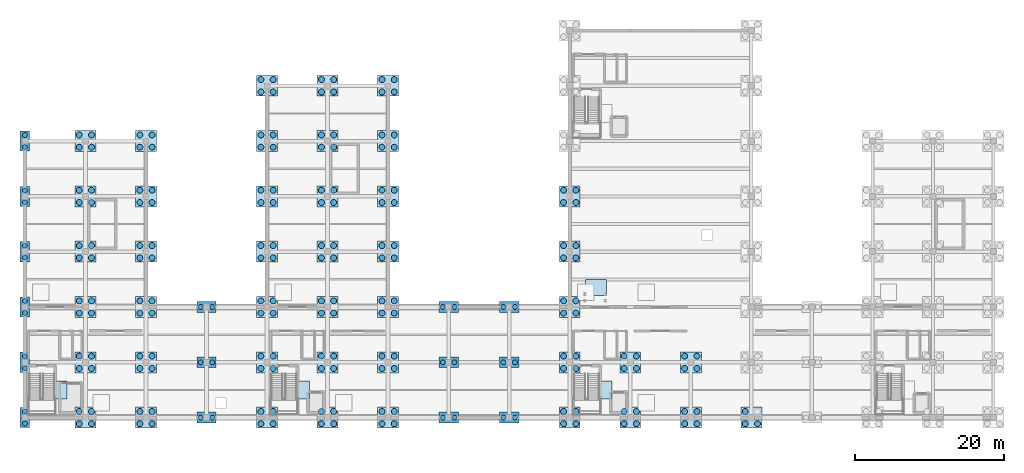
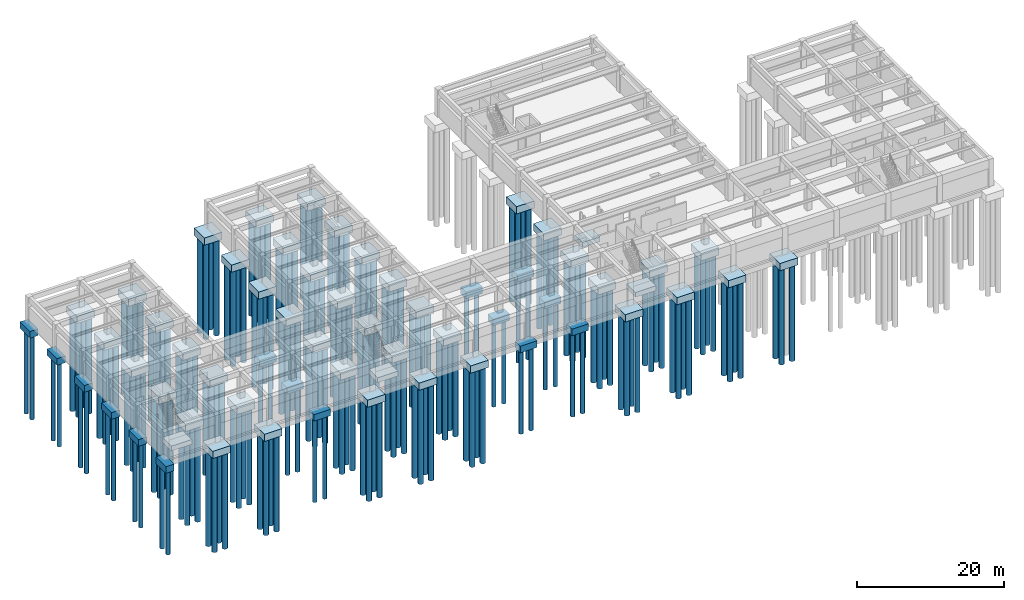
# One storey, part 1 of 14: 201 piles, 62 footings.
"""IFC4 building model written with IfcOpenShell, lengths in metres."""

from ifc_helpers import new_model, si_unit, direction, frame, origin, origin_2d, place, context, subcontext, project, spatial, rectangle, circle, extrude, material, type_object, element, save


model = new_model("IFC4")

# Units and contexts
model_context = context("Model", 3, precision=1e-05, world=origin(), true_north=direction((0.0, 1.0)))
body_context = subcontext(model_context, "Body", "Model", "MODEL_VIEW")
ifc_project = project(units=[si_unit("LENGTHUNIT", "METRE"), si_unit("AREAUNIT", "SQUARE_METRE"), si_unit("VOLUMEUNIT", "CUBIC_METRE"), si_unit("PLANEANGLEUNIT", "RADIAN"), si_unit("MASSUNIT", "GRAM", prefix="KILO")], contexts=[model_context])

# Site, building, storey
site_placement = place(None, origin())
site = spatial("IfcSite", under=ifc_project, at=site_placement, CompositionType="ELEMENT")
building_placement = place(site_placement, origin())
building = spatial("IfcBuilding", under=site, at=building_placement, Name="Cimatlan Art Gallery", CompositionType="ELEMENT")
storey_placement = place(building_placement, frame((0.0, 0.0, -4.800048828125)))
storey = spatial("IfcBuildingStorey", under=building, at=storey_placement, Name="B1", CompositionType="ELEMENT", Elevation=-4.800048828125)

# Footings
ifc_material = material(Name="Concrete C40/50", Category="concrete")
footing_type_1 = type_object("IfcFootingType", Name="FTG-PAD-2800X2100", PredefinedType="PAD_FOOTING", material=ifc_material)
footing_placement = place(storey_placement, frame((78.39990234375, 41.300048828125, -1.25), z_axis=(0.0, 0.0, 1.0), x_axis=(1.0, 0.0, 0.0)))
element("IfcFooting", 1, at=footing_placement, inside=storey, type_object=footing_type_1, Name="FTG-FEAT-95", PredefinedType="PAD_FOOTING", context=body_context, shape_type="SweptSolid", body=[
    extrude(rectangle(XDim=2.800048828125, YDim=2.10009765625, at=origin_2d()), origin(), (0.0, 0.0, 1.0), 0.800048828125),
])
footing_type_2 = type_object("IfcFootingType", Name="FTG-PAD-3200X2400", PredefinedType="PAD_FOOTING", material=ifc_material)
for number, where, z_axis, x_axis, name in (
    (2, (6.050048828125, 27.60009765625, -1.25), (0.0, 0.0, 1.0), (1.0, 0.0, 0.0), "FTG-CORE-C1"),
    (3, (38.449951171875, 27.60009765625, -1.25), (0.0, 0.0, 1.0), (1.0, 0.0, 0.0), "FTG-CORE-C2"),
    (4, (78.949951171875, 27.60009765625, -1.25), (0.0, 0.0, 1.0), (1.0, 0.0, 0.0), "FTG-CORE-C3"),
):
    element("IfcFooting", number, at=place(storey_placement, frame(where, z_axis=z_axis, x_axis=x_axis)), inside=storey, type_object=footing_type_2, Name=name, PredefinedType="PAD_FOOTING", context=body_context, shape_type="SweptSolid", body=[
        extrude(rectangle(XDim=3.199951171875, YDim=2.39990234375, at=origin_2d()), origin(), (0.0, 0.0, 1.0), 0.800048828125),
    ])
footing_type_3 = type_object("IfcFootingType", Name="FTG-PC2-2600X1450", PredefinedType="PILE_CAP", material=ifc_material)
for number, where, z_axis, x_axis, name in (
    (5, (26.300048828125, 23.89990234375, -1.550048828125), (0.0, 0.0, 1.0), (1.0, 0.0, 0.0), "FTG-CAP-03-03"),
    (6, (26.300048828125, 31.300048828125, -1.550048828125), (0.0, 0.0, 1.0), (1.0, 0.0, 0.0), "FTG-CAP-03-04"),
    (7, (26.300048828125, 38.699951171875, -1.550048828125), (0.0, 0.0, 1.0), (1.0, 0.0, 0.0), "FTG-CAP-03-05"),
    (8, (58.699951171875, 23.89990234375, -1.550048828125), (0.0, 0.0, 1.0), (1.0, 0.0, 0.0), "FTG-CAP-07-03"),
    (9, (58.699951171875, 31.300048828125, -1.550048828125), (0.0, 0.0, 1.0), (1.0, 0.0, 0.0), "FTG-CAP-07-04"),
    (10, (58.699951171875, 38.699951171875, -1.550048828125), (0.0, 0.0, 1.0), (1.0, 0.0, 0.0), "FTG-CAP-07-05"),
    (11, (66.800048828125, 23.89990234375, -1.550048828125), (0.0, 0.0, 1.0), (1.0, 0.0, 0.0), "FTG-CAP-08-03"),
    (12, (66.800048828125, 31.300048828125, -1.550048828125), (0.0, 0.0, 1.0), (1.0, 0.0, 0.0), "FTG-CAP-08-04"),
    (13, (66.800048828125, 38.699951171875, -1.550048828125), (0.0, 0.0, 1.0), (1.0, 0.0, 0.0), "FTG-CAP-08-05"),
):
    element("IfcFooting", number, at=place(storey_placement, frame(where, z_axis=z_axis, x_axis=x_axis)), inside=storey, type_object=footing_type_3, Name=name, PredefinedType="PILE_CAP", context=body_context, shape_type="SweptSolid", body=[
        extrude(rectangle(XDim=2.60009765625, YDim=1.449951171875, at=origin_2d()), origin(), (0.0, 0.0, 1.0), 1.10009765625),
    ])
footing_type_4 = type_object("IfcFootingType", Name="FTG-PC2N-1300X2700", PredefinedType="PILE_CAP", material=ifc_material)
for number, where, z_axis, x_axis, name in (
    (14, (2.0, 23.89990234375, -1.550048828125), (0.0, 0.0, 1.0), (1.0, 0.0, 0.0), "FTG-CAP-00-03"),
    (15, (2.0, 31.300048828125, -1.550048828125), (0.0, 0.0, 1.0), (1.0, 0.0, 0.0), "FTG-CAP-00-04"),
    (16, (2.0, 38.699951171875, -1.550048828125), (0.0, 0.0, 1.0), (1.0, 0.0, 0.0), "FTG-CAP-00-05"),
    (17, (2.0, 46.10009765625, -1.550048828125), (0.0, 0.0, 1.0), (1.0, 0.0, 0.0), "FTG-CAP-00-06"),
    (18, (2.0, 53.5, -1.550048828125), (0.0, 0.0, 1.0), (1.0, 0.0, 0.0), "FTG-CAP-00-07"),
    (19, (2.0, 60.89990234375, -1.550048828125), (0.0, 0.0, 1.0), (1.0, 0.0, 0.0), "FTG-CAP-00-08"),
):
    element("IfcFooting", number, at=place(storey_placement, frame(where, z_axis=z_axis, x_axis=x_axis)), inside=storey, type_object=footing_type_4, Name=name, PredefinedType="PILE_CAP", context=body_context, shape_type="SweptSolid", body=[
        extrude(rectangle(XDim=1.300048828125, YDim=2.699951171875, at=origin_2d()), origin(), (0.0, 0.0, 1.0), 1.10009765625),
    ])
footing_type_5 = type_object("IfcFootingType", Name="FTG-PC4-2800", PredefinedType="PILE_CAP", material=ifc_material)
for number, where, z_axis, x_axis, name in (
    (20, (10.10009765625, 23.89990234375, -1.64990234375), (0.0, 0.0, 1.0), (1.0, 0.0, 0.0), "FTG-CAP-01-03"),
    (21, (10.10009765625, 31.300048828125, -1.64990234375), (0.0, 0.0, 1.0), (1.0, 0.0, 0.0), "FTG-CAP-01-04"),
    (22, (10.10009765625, 38.699951171875, -1.64990234375), (0.0, 0.0, 1.0), (1.0, 0.0, 0.0), "FTG-CAP-01-05"),
    (23, (10.10009765625, 46.10009765625, -1.64990234375), (0.0, 0.0, 1.0), (1.0, 0.0, 0.0), "FTG-CAP-01-06"),
    (24, (10.10009765625, 53.5, -1.64990234375), (0.0, 0.0, 1.0), (1.0, 0.0, 0.0), "FTG-CAP-01-07"),
    (25, (10.10009765625, 60.89990234375, -1.64990234375), (0.0, 0.0, 1.0), (1.0, 0.0, 0.0), "FTG-CAP-01-08"),
    (26, (18.199951171875, 23.89990234375, -1.64990234375), (0.0, 0.0, 1.0), (1.0, 0.0, 0.0), "FTG-CAP-02-03"),
    (27, (18.199951171875, 31.300048828125, -1.64990234375), (0.0, 0.0, 1.0), (1.0, 0.0, 0.0), "FTG-CAP-02-04"),
    (28, (18.199951171875, 38.699951171875, -1.64990234375), (0.0, 0.0, 1.0), (1.0, 0.0, 0.0), "FTG-CAP-02-05"),
    (29, (18.199951171875, 46.10009765625, -1.64990234375), (0.0, 0.0, 1.0), (1.0, 0.0, 0.0), "FTG-CAP-02-06"),
    (30, (18.199951171875, 53.5, -1.64990234375), (0.0, 0.0, 1.0), (1.0, 0.0, 0.0), "FTG-CAP-02-07"),
    (31, (18.199951171875, 60.89990234375, -1.64990234375), (0.0, 0.0, 1.0), (1.0, 0.0, 0.0), "FTG-CAP-02-08"),
    (32, (34.39990234375, 23.89990234375, -1.64990234375), (0.0, 0.0, 1.0), (1.0, 0.0, 0.0), "FTG-CAP-04-03"),
    (33, (34.39990234375, 31.300048828125, -1.64990234375), (0.0, 0.0, 1.0), (1.0, 0.0, 0.0), "FTG-CAP-04-04"),
    (34, (34.39990234375, 38.699951171875, -1.64990234375), (0.0, 0.0, 1.0), (1.0, 0.0, 0.0), "FTG-CAP-04-05"),
    (35, (34.39990234375, 46.10009765625, -1.64990234375), (0.0, 0.0, 1.0), (1.0, 0.0, 0.0), "FTG-CAP-04-06"),
    (36, (34.39990234375, 53.5, -1.64990234375), (0.0, 0.0, 1.0), (1.0, 0.0, 0.0), "FTG-CAP-04-07"),
    (37, (34.39990234375, 60.89990234375, -1.64990234375), (0.0, 0.0, 1.0), (1.0, 0.0, 0.0), "FTG-CAP-04-08"),
    (38, (34.39990234375, 68.300048828125, -1.64990234375), (0.0, 0.0, 1.0), (1.0, 0.0, 0.0), "FTG-CAP-04-09"),
    (39, (42.5, 23.89990234375, -1.64990234375), (0.0, 0.0, 1.0), (1.0, 0.0, 0.0), "FTG-CAP-05-03"),
    (40, (42.5, 31.300048828125, -1.64990234375), (0.0, 0.0, 1.0), (1.0, 0.0, 0.0), "FTG-CAP-05-04"),
    (41, (42.5, 38.699951171875, -1.64990234375), (0.0, 0.0, 1.0), (1.0, 0.0, 0.0), "FTG-CAP-05-05"),
    (42, (42.5, 46.10009765625, -1.64990234375), (0.0, 0.0, 1.0), (1.0, 0.0, 0.0), "FTG-CAP-05-06"),
    (43, (42.5, 53.5, -1.64990234375), (0.0, 0.0, 1.0), (1.0, 0.0, 0.0), "FTG-CAP-05-07"),
    (44, (42.5, 60.89990234375, -1.64990234375), (0.0, 0.0, 1.0), (1.0, 0.0, 0.0), "FTG-CAP-05-08"),
    (45, (42.5, 68.300048828125, -1.64990234375), (0.0, 0.0, 1.0), (1.0, 0.0, 0.0), "FTG-CAP-05-09"),
    (46, (50.60009765625, 23.89990234375, -1.64990234375), (0.0, 0.0, 1.0), (1.0, 0.0, 0.0), "FTG-CAP-06-03"),
    (47, (50.60009765625, 31.300048828125, -1.64990234375), (0.0, 0.0, 1.0), (1.0, 0.0, 0.0), "FTG-CAP-06-04"),
    (48, (50.60009765625, 38.699951171875, -1.64990234375), (0.0, 0.0, 1.0), (1.0, 0.0, 0.0), "FTG-CAP-06-05"),
    (49, (50.60009765625, 46.10009765625, -1.64990234375), (0.0, 0.0, 1.0), (1.0, 0.0, 0.0), "FTG-CAP-06-06"),
    (50, (50.60009765625, 53.5, -1.64990234375), (0.0, 0.0, 1.0), (1.0, 0.0, 0.0), "FTG-CAP-06-07"),
    (51, (50.60009765625, 60.89990234375, -1.64990234375), (0.0, 0.0, 1.0), (1.0, 0.0, 0.0), "FTG-CAP-06-08"),
    (52, (50.60009765625, 68.300048828125, -1.64990234375), (0.0, 0.0, 1.0), (1.0, 0.0, 0.0), "FTG-CAP-06-09"),
    (53, (74.89990234375, 23.89990234375, -1.64990234375), (0.0, 0.0, 1.0), (1.0, 0.0, 0.0), "FTG-CAP-09-03"),
    (54, (74.89990234375, 31.300048828125, -1.64990234375), (0.0, 0.0, 1.0), (1.0, 0.0, 0.0), "FTG-CAP-09-04"),
    (55, (74.89990234375, 38.699951171875, -1.64990234375), (0.0, 0.0, 1.0), (1.0, 0.0, 0.0), "FTG-CAP-09-05"),
    (56, (74.89990234375, 46.10009765625, -1.64990234375), (0.0, 0.0, 1.0), (1.0, 0.0, 0.0), "FTG-CAP-09-06"),
    (57, (74.89990234375, 53.5, -1.64990234375), (0.0, 0.0, 1.0), (1.0, 0.0, 0.0), "FTG-CAP-09-07"),
    (58, (83.0, 23.89990234375, -1.64990234375), (0.0, 0.0, 1.0), (1.0, 0.0, 0.0), "FTG-CAP-10-03"),
    (59, (83.0, 31.300048828125, -1.64990234375), (0.0, 0.0, 1.0), (1.0, 0.0, 0.0), "FTG-CAP-10-04"),
    (60, (91.10009765625, 23.89990234375, -1.64990234375), (0.0, 0.0, 1.0), (1.0, 0.0, 0.0), "FTG-CAP-11-03"),
    (61, (91.10009765625, 31.300048828125, -1.64990234375), (0.0, 0.0, 1.0), (1.0, 0.0, 0.0), "FTG-CAP-11-04"),
    (62, (99.199951171875, 23.89990234375, -1.64990234375), (0.0, 0.0, 1.0), (1.0, 0.0, 0.0), "FTG-CAP-12-03"),
):
    element("IfcFooting", number, at=place(storey_placement, frame(where, z_axis=z_axis, x_axis=x_axis)), inside=storey, type_object=footing_type_5, Name=name, PredefinedType="PILE_CAP", context=body_context, shape_type="SweptSolid", body=[
        extrude(rectangle(XDim=2.800048828125, YDim=2.800048828125, at=origin_2d()), origin(), (0.0, 0.0, 1.0), 1.199951171875),
    ])

# Piles
pile_type_1 = type_object("IfcPileType", Name="PIL-D650", PredefinedType="BORED", material=ifc_material)
for number, where, z_axis, x_axis, name in (
    (63, (2.0, 23.10009765625, -1.449951171875), (0.0, 0.0, -1.0), (1.0, 0.0, 0.0), "PIL-00-03-1"),
    (64, (2.0, 24.699951171875, -1.449951171875), (0.0, 0.0, -1.0), (1.0, 0.0, 0.0), "PIL-00-03-2"),
    (65, (2.0, 30.5, -1.449951171875), (0.0, 0.0, -1.0), (1.0, 0.0, 0.0), "PIL-00-04-1"),
    (66, (2.0, 32.10009765625, -1.449951171875), (0.0, 0.0, -1.0), (1.0, 0.0, 0.0), "PIL-00-04-2"),
    (67, (2.0, 37.89990234375, -1.449951171875), (0.0, 0.0, -1.0), (1.0, 0.0, 0.0), "PIL-00-05-1"),
    (68, (2.0, 39.5, -1.449951171875), (0.0, 0.0, -1.0), (1.0, 0.0, 0.0), "PIL-00-05-2"),
    (69, (2.0, 45.300048828125, -1.449951171875), (0.0, 0.0, -1.0), (1.0, 0.0, 0.0), "PIL-00-06-1"),
    (70, (2.0, 46.89990234375, -1.449951171875), (0.0, 0.0, -1.0), (1.0, 0.0, 0.0), "PIL-00-06-2"),
    (71, (2.0, 52.699951171875, -1.449951171875), (0.0, 0.0, -1.0), (1.0, 0.0, 0.0), "PIL-00-07-1"),
    (72, (2.0, 54.300048828125, -1.449951171875), (0.0, 0.0, -1.0), (1.0, 0.0, 0.0), "PIL-00-07-2"),
    (73, (2.0, 60.10009765625, -1.449951171875), (0.0, 0.0, -1.0), (1.0, 0.0, 0.0), "PIL-00-08-1"),
    (74, (2.0, 61.699951171875, -1.449951171875), (0.0, 0.0, -1.0), (1.0, 0.0, 0.0), "PIL-00-08-2"),
    (75, (25.52001953125, 23.89990234375, -1.449951171875), (0.0, 0.0, -1.0), (1.0, 0.0, 0.0), "PIL-03-03-1"),
    (76, (27.080078125, 23.89990234375, -1.449951171875), (0.0, 0.0, -1.0), (1.0, 0.0, 0.0), "PIL-03-03-2"),
    (77, (25.52001953125, 31.300048828125, -1.449951171875), (0.0, 0.0, -1.0), (1.0, 0.0, 0.0), "PIL-03-04-1"),
    (78, (27.080078125, 31.300048828125, -1.449951171875), (0.0, 0.0, -1.0), (1.0, 0.0, 0.0), "PIL-03-04-2"),
    (79, (25.52001953125, 38.699951171875, -1.449951171875), (0.0, 0.0, -1.0), (1.0, 0.0, 0.0), "PIL-03-05-1"),
    (80, (27.080078125, 38.699951171875, -1.449951171875), (0.0, 0.0, -1.0), (1.0, 0.0, 0.0), "PIL-03-05-2"),
    (81, (57.919921875, 23.89990234375, -1.449951171875), (0.0, 0.0, -1.0), (1.0, 0.0, 0.0), "PIL-07-03-1"),
    (82, (59.47998046875, 23.89990234375, -1.449951171875), (0.0, 0.0, -1.0), (1.0, 0.0, 0.0), "PIL-07-03-2"),
    (83, (57.919921875, 31.300048828125, -1.449951171875), (0.0, 0.0, -1.0), (1.0, 0.0, 0.0), "PIL-07-04-1"),
    (84, (59.47998046875, 31.300048828125, -1.449951171875), (0.0, 0.0, -1.0), (1.0, 0.0, 0.0), "PIL-07-04-2"),
    (85, (57.919921875, 38.699951171875, -1.449951171875), (0.0, 0.0, -1.0), (1.0, 0.0, 0.0), "PIL-07-05-1"),
    (86, (59.47998046875, 38.699951171875, -1.449951171875), (0.0, 0.0, -1.0), (1.0, 0.0, 0.0), "PIL-07-05-2"),
    (87, (66.02001953125, 23.89990234375, -1.449951171875), (0.0, 0.0, -1.0), (1.0, 0.0, 0.0), "PIL-08-03-1"),
    (88, (67.580078125, 23.89990234375, -1.449951171875), (0.0, 0.0, -1.0), (1.0, 0.0, 0.0), "PIL-08-03-2"),
    (89, (66.02001953125, 31.300048828125, -1.449951171875), (0.0, 0.0, -1.0), (1.0, 0.0, 0.0), "PIL-08-04-1"),
    (90, (67.580078125, 31.300048828125, -1.449951171875), (0.0, 0.0, -1.0), (1.0, 0.0, 0.0), "PIL-08-04-2"),
    (91, (66.02001953125, 38.699951171875, -1.449951171875), (0.0, 0.0, -1.0), (1.0, 0.0, 0.0), "PIL-08-05-1"),
    (92, (67.580078125, 38.699951171875, -1.449951171875), (0.0, 0.0, -1.0), (1.0, 0.0, 0.0), "PIL-08-05-2"),
):
    element("IfcPile", number, at=place(storey_placement, frame(where, z_axis=z_axis, x_axis=x_axis)), inside=storey, type_object=pile_type_1, Name=name, PredefinedType="BORED", context=body_context, shape_type="SweptSolid", body=[
        extrude(circle(Radius=0.324951171875, at=origin_2d()), origin(), (0.0, 0.0, 1.0), 14.0),
    ])
pile_type_2 = type_object("IfcPileType", Name="PIL-D800", PredefinedType="BORED", material=ifc_material)
for number, where, z_axis, x_axis, name in (
    (93, (9.280029296875, 23.080078125, -1.550048828125), (0.0, 0.0, -1.0), (1.0, 0.0, 0.0), "PIL-01-03-1"),
    (94, (10.919921875, 23.080078125, -1.550048828125), (0.0, 0.0, -1.0), (1.0, 0.0, 0.0), "PIL-01-03-2"),
    (95, (9.280029296875, 24.719970703125, -1.550048828125), (0.0, 0.0, -1.0), (1.0, 0.0, 0.0), "PIL-01-03-3"),
    (96, (10.919921875, 24.719970703125, -1.550048828125), (0.0, 0.0, -1.0), (1.0, 0.0, 0.0), "PIL-01-03-4"),
    (97, (9.280029296875, 30.47998046875, -1.550048828125), (0.0, 0.0, -1.0), (1.0, 0.0, 0.0), "PIL-01-04-1"),
    (98, (10.919921875, 30.47998046875, -1.550048828125), (0.0, 0.0, -1.0), (1.0, 0.0, 0.0), "PIL-01-04-2"),
    (99, (9.280029296875, 32.1201171875, -1.550048828125), (0.0, 0.0, -1.0), (1.0, 0.0, 0.0), "PIL-01-04-3"),
    (100, (10.919921875, 32.1201171875, -1.550048828125), (0.0, 0.0, -1.0), (1.0, 0.0, 0.0), "PIL-01-04-4"),
    (101, (9.280029296875, 37.8798828125, -1.550048828125), (0.0, 0.0, -1.0), (1.0, 0.0, 0.0), "PIL-01-05-1"),
    (102, (10.919921875, 37.8798828125, -1.550048828125), (0.0, 0.0, -1.0), (1.0, 0.0, 0.0), "PIL-01-05-2"),
    (103, (9.280029296875, 39.52001953125, -1.550048828125), (0.0, 0.0, -1.0), (1.0, 0.0, 0.0), "PIL-01-05-3"),
    (104, (10.919921875, 39.52001953125, -1.550048828125), (0.0, 0.0, -1.0), (1.0, 0.0, 0.0), "PIL-01-05-4"),
    (105, (9.280029296875, 45.280029296875, -1.550048828125), (0.0, 0.0, -1.0), (1.0, 0.0, 0.0), "PIL-01-06-1"),
    (106, (10.919921875, 45.280029296875, -1.550048828125), (0.0, 0.0, -1.0), (1.0, 0.0, 0.0), "PIL-01-06-2"),
    (107, (9.280029296875, 46.919921875, -1.550048828125), (0.0, 0.0, -1.0), (1.0, 0.0, 0.0), "PIL-01-06-3"),
    (108, (10.919921875, 46.919921875, -1.550048828125), (0.0, 0.0, -1.0), (1.0, 0.0, 0.0), "PIL-01-06-4"),
    (109, (9.280029296875, 52.679931640625, -1.550048828125), (0.0, 0.0, -1.0), (1.0, 0.0, 0.0), "PIL-01-07-1"),
    (110, (10.919921875, 52.679931640625, -1.550048828125), (0.0, 0.0, -1.0), (1.0, 0.0, 0.0), "PIL-01-07-2"),
    (111, (9.280029296875, 54.320068359375, -1.550048828125), (0.0, 0.0, -1.0), (1.0, 0.0, 0.0), "PIL-01-07-3"),
    (112, (10.919921875, 54.320068359375, -1.550048828125), (0.0, 0.0, -1.0), (1.0, 0.0, 0.0), "PIL-01-07-4"),
    (113, (9.280029296875, 60.080078125, -1.550048828125), (0.0, 0.0, -1.0), (1.0, 0.0, 0.0), "PIL-01-08-1"),
    (114, (10.919921875, 60.080078125, -1.550048828125), (0.0, 0.0, -1.0), (1.0, 0.0, 0.0), "PIL-01-08-2"),
    (115, (9.280029296875, 61.719970703125, -1.550048828125), (0.0, 0.0, -1.0), (1.0, 0.0, 0.0), "PIL-01-08-3"),
    (116, (10.919921875, 61.719970703125, -1.550048828125), (0.0, 0.0, -1.0), (1.0, 0.0, 0.0), "PIL-01-08-4"),
    (117, (17.3798828125, 23.080078125, -1.550048828125), (0.0, 0.0, -1.0), (1.0, 0.0, 0.0), "PIL-02-03-1"),
    (118, (19.02001953125, 23.080078125, -1.550048828125), (0.0, 0.0, -1.0), (1.0, 0.0, 0.0), "PIL-02-03-2"),
    (119, (17.3798828125, 24.719970703125, -1.550048828125), (0.0, 0.0, -1.0), (1.0, 0.0, 0.0), "PIL-02-03-3"),
    (120, (19.02001953125, 24.719970703125, -1.550048828125), (0.0, 0.0, -1.0), (1.0, 0.0, 0.0), "PIL-02-03-4"),
    (121, (17.3798828125, 30.47998046875, -1.550048828125), (0.0, 0.0, -1.0), (1.0, 0.0, 0.0), "PIL-02-04-1"),
    (122, (19.02001953125, 30.47998046875, -1.550048828125), (0.0, 0.0, -1.0), (1.0, 0.0, 0.0), "PIL-02-04-2"),
    (123, (17.3798828125, 32.1201171875, -1.550048828125), (0.0, 0.0, -1.0), (1.0, 0.0, 0.0), "PIL-02-04-3"),
    (124, (19.02001953125, 32.1201171875, -1.550048828125), (0.0, 0.0, -1.0), (1.0, 0.0, 0.0), "PIL-02-04-4"),
    (125, (17.3798828125, 37.8798828125, -1.550048828125), (0.0, 0.0, -1.0), (1.0, 0.0, 0.0), "PIL-02-05-1"),
    (126, (19.02001953125, 37.8798828125, -1.550048828125), (0.0, 0.0, -1.0), (1.0, 0.0, 0.0), "PIL-02-05-2"),
    (127, (17.3798828125, 39.52001953125, -1.550048828125), (0.0, 0.0, -1.0), (1.0, 0.0, 0.0), "PIL-02-05-3"),
    (128, (19.02001953125, 39.52001953125, -1.550048828125), (0.0, 0.0, -1.0), (1.0, 0.0, 0.0), "PIL-02-05-4"),
    (129, (17.3798828125, 45.280029296875, -1.550048828125), (0.0, 0.0, -1.0), (1.0, 0.0, 0.0), "PIL-02-06-1"),
    (130, (19.02001953125, 45.280029296875, -1.550048828125), (0.0, 0.0, -1.0), (1.0, 0.0, 0.0), "PIL-02-06-2"),
    (131, (17.3798828125, 46.919921875, -1.550048828125), (0.0, 0.0, -1.0), (1.0, 0.0, 0.0), "PIL-02-06-3"),
    (132, (19.02001953125, 46.919921875, -1.550048828125), (0.0, 0.0, -1.0), (1.0, 0.0, 0.0), "PIL-02-06-4"),
    (133, (17.3798828125, 52.679931640625, -1.550048828125), (0.0, 0.0, -1.0), (1.0, 0.0, 0.0), "PIL-02-07-1"),
    (134, (19.02001953125, 52.679931640625, -1.550048828125), (0.0, 0.0, -1.0), (1.0, 0.0, 0.0), "PIL-02-07-2"),
    (135, (17.3798828125, 54.320068359375, -1.550048828125), (0.0, 0.0, -1.0), (1.0, 0.0, 0.0), "PIL-02-07-3"),
    (136, (19.02001953125, 54.320068359375, -1.550048828125), (0.0, 0.0, -1.0), (1.0, 0.0, 0.0), "PIL-02-07-4"),
    (137, (17.3798828125, 60.080078125, -1.550048828125), (0.0, 0.0, -1.0), (1.0, 0.0, 0.0), "PIL-02-08-1"),
    (138, (19.02001953125, 60.080078125, -1.550048828125), (0.0, 0.0, -1.0), (1.0, 0.0, 0.0), "PIL-02-08-2"),
    (139, (17.3798828125, 61.719970703125, -1.550048828125), (0.0, 0.0, -1.0), (1.0, 0.0, 0.0), "PIL-02-08-3"),
    (140, (19.02001953125, 61.719970703125, -1.550048828125), (0.0, 0.0, -1.0), (1.0, 0.0, 0.0), "PIL-02-08-4"),
    (141, (33.580078125, 23.080078125, -1.550048828125), (0.0, 0.0, -1.0), (1.0, 0.0, 0.0), "PIL-04-03-1"),
    (142, (35.219970703125, 23.080078125, -1.550048828125), (0.0, 0.0, -1.0), (1.0, 0.0, 0.0), "PIL-04-03-2"),
    (143, (33.580078125, 24.719970703125, -1.550048828125), (0.0, 0.0, -1.0), (1.0, 0.0, 0.0), "PIL-04-03-3"),
    (144, (35.219970703125, 24.719970703125, -1.550048828125), (0.0, 0.0, -1.0), (1.0, 0.0, 0.0), "PIL-04-03-4"),
    (145, (33.580078125, 30.47998046875, -1.550048828125), (0.0, 0.0, -1.0), (1.0, 0.0, 0.0), "PIL-04-04-1"),
    (146, (35.219970703125, 30.47998046875, -1.550048828125), (0.0, 0.0, -1.0), (1.0, 0.0, 0.0), "PIL-04-04-2"),
    (147, (33.580078125, 32.1201171875, -1.550048828125), (0.0, 0.0, -1.0), (1.0, 0.0, 0.0), "PIL-04-04-3"),
    (148, (35.219970703125, 32.1201171875, -1.550048828125), (0.0, 0.0, -1.0), (1.0, 0.0, 0.0), "PIL-04-04-4"),
    (149, (33.580078125, 37.8798828125, -1.550048828125), (0.0, 0.0, -1.0), (1.0, 0.0, 0.0), "PIL-04-05-1"),
    (150, (35.219970703125, 37.8798828125, -1.550048828125), (0.0, 0.0, -1.0), (1.0, 0.0, 0.0), "PIL-04-05-2"),
    (151, (33.580078125, 39.52001953125, -1.550048828125), (0.0, 0.0, -1.0), (1.0, 0.0, 0.0), "PIL-04-05-3"),
    (152, (35.219970703125, 39.52001953125, -1.550048828125), (0.0, 0.0, -1.0), (1.0, 0.0, 0.0), "PIL-04-05-4"),
    (153, (33.580078125, 45.280029296875, -1.550048828125), (0.0, 0.0, -1.0), (1.0, 0.0, 0.0), "PIL-04-06-1"),
    (154, (35.219970703125, 45.280029296875, -1.550048828125), (0.0, 0.0, -1.0), (1.0, 0.0, 0.0), "PIL-04-06-2"),
    (155, (33.580078125, 46.919921875, -1.550048828125), (0.0, 0.0, -1.0), (1.0, 0.0, 0.0), "PIL-04-06-3"),
    (156, (35.219970703125, 46.919921875, -1.550048828125), (0.0, 0.0, -1.0), (1.0, 0.0, 0.0), "PIL-04-06-4"),
    (157, (33.580078125, 52.679931640625, -1.550048828125), (0.0, 0.0, -1.0), (1.0, 0.0, 0.0), "PIL-04-07-1"),
    (158, (35.219970703125, 52.679931640625, -1.550048828125), (0.0, 0.0, -1.0), (1.0, 0.0, 0.0), "PIL-04-07-2"),
    (159, (33.580078125, 54.320068359375, -1.550048828125), (0.0, 0.0, -1.0), (1.0, 0.0, 0.0), "PIL-04-07-3"),
    (160, (35.219970703125, 54.320068359375, -1.550048828125), (0.0, 0.0, -1.0), (1.0, 0.0, 0.0), "PIL-04-07-4"),
    (161, (33.580078125, 60.080078125, -1.550048828125), (0.0, 0.0, -1.0), (1.0, 0.0, 0.0), "PIL-04-08-1"),
    (162, (35.219970703125, 60.080078125, -1.550048828125), (0.0, 0.0, -1.0), (1.0, 0.0, 0.0), "PIL-04-08-2"),
    (163, (33.580078125, 61.719970703125, -1.550048828125), (0.0, 0.0, -1.0), (1.0, 0.0, 0.0), "PIL-04-08-3"),
    (164, (35.219970703125, 61.719970703125, -1.550048828125), (0.0, 0.0, -1.0), (1.0, 0.0, 0.0), "PIL-04-08-4"),
    (165, (33.580078125, 67.47998046875, -1.550048828125), (0.0, 0.0, -1.0), (1.0, 0.0, 0.0), "PIL-04-09-1"),
    (166, (35.219970703125, 67.47998046875, -1.550048828125), (0.0, 0.0, -1.0), (1.0, 0.0, 0.0), "PIL-04-09-2"),
    (167, (33.580078125, 69.1201171875, -1.550048828125), (0.0, 0.0, -1.0), (1.0, 0.0, 0.0), "PIL-04-09-3"),
    (168, (35.219970703125, 69.1201171875, -1.550048828125), (0.0, 0.0, -1.0), (1.0, 0.0, 0.0), "PIL-04-09-4"),
    (169, (41.679931640625, 23.080078125, -1.550048828125), (0.0, 0.0, -1.0), (1.0, 0.0, 0.0), "PIL-05-03-1"),
    (170, (43.320068359375, 23.080078125, -1.550048828125), (0.0, 0.0, -1.0), (1.0, 0.0, 0.0), "PIL-05-03-2"),
    (171, (41.679931640625, 24.719970703125, -1.550048828125), (0.0, 0.0, -1.0), (1.0, 0.0, 0.0), "PIL-05-03-3"),
    (172, (43.320068359375, 24.719970703125, -1.550048828125), (0.0, 0.0, -1.0), (1.0, 0.0, 0.0), "PIL-05-03-4"),
    (173, (41.679931640625, 30.47998046875, -1.550048828125), (0.0, 0.0, -1.0), (1.0, 0.0, 0.0), "PIL-05-04-1"),
    (174, (43.320068359375, 30.47998046875, -1.550048828125), (0.0, 0.0, -1.0), (1.0, 0.0, 0.0), "PIL-05-04-2"),
    (175, (41.679931640625, 32.1201171875, -1.550048828125), (0.0, 0.0, -1.0), (1.0, 0.0, 0.0), "PIL-05-04-3"),
    (176, (43.320068359375, 32.1201171875, -1.550048828125), (0.0, 0.0, -1.0), (1.0, 0.0, 0.0), "PIL-05-04-4"),
    (177, (41.679931640625, 37.8798828125, -1.550048828125), (0.0, 0.0, -1.0), (1.0, 0.0, 0.0), "PIL-05-05-1"),
    (178, (43.320068359375, 37.8798828125, -1.550048828125), (0.0, 0.0, -1.0), (1.0, 0.0, 0.0), "PIL-05-05-2"),
    (179, (41.679931640625, 39.52001953125, -1.550048828125), (0.0, 0.0, -1.0), (1.0, 0.0, 0.0), "PIL-05-05-3"),
    (180, (43.320068359375, 39.52001953125, -1.550048828125), (0.0, 0.0, -1.0), (1.0, 0.0, 0.0), "PIL-05-05-4"),
    (181, (41.679931640625, 45.280029296875, -1.550048828125), (0.0, 0.0, -1.0), (1.0, 0.0, 0.0), "PIL-05-06-1"),
    (182, (43.320068359375, 45.280029296875, -1.550048828125), (0.0, 0.0, -1.0), (1.0, 0.0, 0.0), "PIL-05-06-2"),
    (183, (41.679931640625, 46.919921875, -1.550048828125), (0.0, 0.0, -1.0), (1.0, 0.0, 0.0), "PIL-05-06-3"),
    (184, (43.320068359375, 46.919921875, -1.550048828125), (0.0, 0.0, -1.0), (1.0, 0.0, 0.0), "PIL-05-06-4"),
    (185, (41.679931640625, 52.679931640625, -1.550048828125), (0.0, 0.0, -1.0), (1.0, 0.0, 0.0), "PIL-05-07-1"),
    (186, (43.320068359375, 52.679931640625, -1.550048828125), (0.0, 0.0, -1.0), (1.0, 0.0, 0.0), "PIL-05-07-2"),
    (187, (41.679931640625, 54.320068359375, -1.550048828125), (0.0, 0.0, -1.0), (1.0, 0.0, 0.0), "PIL-05-07-3"),
    (188, (43.320068359375, 54.320068359375, -1.550048828125), (0.0, 0.0, -1.0), (1.0, 0.0, 0.0), "PIL-05-07-4"),
    (189, (41.679931640625, 60.080078125, -1.550048828125), (0.0, 0.0, -1.0), (1.0, 0.0, 0.0), "PIL-05-08-1"),
    (190, (43.320068359375, 60.080078125, -1.550048828125), (0.0, 0.0, -1.0), (1.0, 0.0, 0.0), "PIL-05-08-2"),
    (191, (41.679931640625, 61.719970703125, -1.550048828125), (0.0, 0.0, -1.0), (1.0, 0.0, 0.0), "PIL-05-08-3"),
    (192, (43.320068359375, 61.719970703125, -1.550048828125), (0.0, 0.0, -1.0), (1.0, 0.0, 0.0), "PIL-05-08-4"),
    (193, (41.679931640625, 67.47998046875, -1.550048828125), (0.0, 0.0, -1.0), (1.0, 0.0, 0.0), "PIL-05-09-1"),
    (194, (43.320068359375, 67.47998046875, -1.550048828125), (0.0, 0.0, -1.0), (1.0, 0.0, 0.0), "PIL-05-09-2"),
    (195, (41.679931640625, 69.1201171875, -1.550048828125), (0.0, 0.0, -1.0), (1.0, 0.0, 0.0), "PIL-05-09-3"),
    (196, (43.320068359375, 69.1201171875, -1.550048828125), (0.0, 0.0, -1.0), (1.0, 0.0, 0.0), "PIL-05-09-4"),
    (197, (49.780029296875, 23.080078125, -1.550048828125), (0.0, 0.0, -1.0), (1.0, 0.0, 0.0), "PIL-06-03-1"),
    (198, (51.419921875, 23.080078125, -1.550048828125), (0.0, 0.0, -1.0), (1.0, 0.0, 0.0), "PIL-06-03-2"),
    (199, (49.780029296875, 24.719970703125, -1.550048828125), (0.0, 0.0, -1.0), (1.0, 0.0, 0.0), "PIL-06-03-3"),
    (200, (51.419921875, 24.719970703125, -1.550048828125), (0.0, 0.0, -1.0), (1.0, 0.0, 0.0), "PIL-06-03-4"),
    (201, (49.780029296875, 30.47998046875, -1.550048828125), (0.0, 0.0, -1.0), (1.0, 0.0, 0.0), "PIL-06-04-1"),
    (202, (51.419921875, 30.47998046875, -1.550048828125), (0.0, 0.0, -1.0), (1.0, 0.0, 0.0), "PIL-06-04-2"),
    (203, (49.780029296875, 32.1201171875, -1.550048828125), (0.0, 0.0, -1.0), (1.0, 0.0, 0.0), "PIL-06-04-3"),
    (204, (51.419921875, 32.1201171875, -1.550048828125), (0.0, 0.0, -1.0), (1.0, 0.0, 0.0), "PIL-06-04-4"),
    (205, (49.780029296875, 37.8798828125, -1.550048828125), (0.0, 0.0, -1.0), (1.0, 0.0, 0.0), "PIL-06-05-1"),
    (206, (51.419921875, 37.8798828125, -1.550048828125), (0.0, 0.0, -1.0), (1.0, 0.0, 0.0), "PIL-06-05-2"),
    (207, (49.780029296875, 39.52001953125, -1.550048828125), (0.0, 0.0, -1.0), (1.0, 0.0, 0.0), "PIL-06-05-3"),
    (208, (51.419921875, 39.52001953125, -1.550048828125), (0.0, 0.0, -1.0), (1.0, 0.0, 0.0), "PIL-06-05-4"),
    (209, (49.780029296875, 45.280029296875, -1.550048828125), (0.0, 0.0, -1.0), (1.0, 0.0, 0.0), "PIL-06-06-1"),
    (210, (51.419921875, 45.280029296875, -1.550048828125), (0.0, 0.0, -1.0), (1.0, 0.0, 0.0), "PIL-06-06-2"),
    (211, (49.780029296875, 46.919921875, -1.550048828125), (0.0, 0.0, -1.0), (1.0, 0.0, 0.0), "PIL-06-06-3"),
    (212, (51.419921875, 46.919921875, -1.550048828125), (0.0, 0.0, -1.0), (1.0, 0.0, 0.0), "PIL-06-06-4"),
    (213, (49.780029296875, 52.679931640625, -1.550048828125), (0.0, 0.0, -1.0), (1.0, 0.0, 0.0), "PIL-06-07-1"),
    (214, (51.419921875, 52.679931640625, -1.550048828125), (0.0, 0.0, -1.0), (1.0, 0.0, 0.0), "PIL-06-07-2"),
    (215, (49.780029296875, 54.320068359375, -1.550048828125), (0.0, 0.0, -1.0), (1.0, 0.0, 0.0), "PIL-06-07-3"),
    (216, (51.419921875, 54.320068359375, -1.550048828125), (0.0, 0.0, -1.0), (1.0, 0.0, 0.0), "PIL-06-07-4"),
    (217, (49.780029296875, 60.080078125, -1.550048828125), (0.0, 0.0, -1.0), (1.0, 0.0, 0.0), "PIL-06-08-1"),
    (218, (51.419921875, 60.080078125, -1.550048828125), (0.0, 0.0, -1.0), (1.0, 0.0, 0.0), "PIL-06-08-2"),
    (219, (49.780029296875, 61.719970703125, -1.550048828125), (0.0, 0.0, -1.0), (1.0, 0.0, 0.0), "PIL-06-08-3"),
    (220, (51.419921875, 61.719970703125, -1.550048828125), (0.0, 0.0, -1.0), (1.0, 0.0, 0.0), "PIL-06-08-4"),
    (221, (49.780029296875, 67.47998046875, -1.550048828125), (0.0, 0.0, -1.0), (1.0, 0.0, 0.0), "PIL-06-09-1"),
    (222, (51.419921875, 67.47998046875, -1.550048828125), (0.0, 0.0, -1.0), (1.0, 0.0, 0.0), "PIL-06-09-2"),
    (223, (49.780029296875, 69.1201171875, -1.550048828125), (0.0, 0.0, -1.0), (1.0, 0.0, 0.0), "PIL-06-09-3"),
    (224, (51.419921875, 69.1201171875, -1.550048828125), (0.0, 0.0, -1.0), (1.0, 0.0, 0.0), "PIL-06-09-4"),
    (225, (74.080078125, 23.080078125, -1.550048828125), (0.0, 0.0, -1.0), (1.0, 0.0, 0.0), "PIL-09-03-1"),
    (226, (75.719970703125, 23.080078125, -1.550048828125), (0.0, 0.0, -1.0), (1.0, 0.0, 0.0), "PIL-09-03-2"),
    (227, (74.080078125, 24.719970703125, -1.550048828125), (0.0, 0.0, -1.0), (1.0, 0.0, 0.0), "PIL-09-03-3"),
    (228, (75.719970703125, 24.719970703125, -1.550048828125), (0.0, 0.0, -1.0), (1.0, 0.0, 0.0), "PIL-09-03-4"),
    (229, (74.080078125, 30.47998046875, -1.550048828125), (0.0, 0.0, -1.0), (1.0, 0.0, 0.0), "PIL-09-04-1"),
    (230, (75.719970703125, 30.47998046875, -1.550048828125), (0.0, 0.0, -1.0), (1.0, 0.0, 0.0), "PIL-09-04-2"),
    (231, (74.080078125, 32.1201171875, -1.550048828125), (0.0, 0.0, -1.0), (1.0, 0.0, 0.0), "PIL-09-04-3"),
    (232, (75.719970703125, 32.1201171875, -1.550048828125), (0.0, 0.0, -1.0), (1.0, 0.0, 0.0), "PIL-09-04-4"),
    (233, (74.080078125, 37.8798828125, -1.550048828125), (0.0, 0.0, -1.0), (1.0, 0.0, 0.0), "PIL-09-05-1"),
    (234, (75.719970703125, 37.8798828125, -1.550048828125), (0.0, 0.0, -1.0), (1.0, 0.0, 0.0), "PIL-09-05-2"),
    (235, (74.080078125, 39.52001953125, -1.550048828125), (0.0, 0.0, -1.0), (1.0, 0.0, 0.0), "PIL-09-05-3"),
    (236, (75.719970703125, 39.52001953125, -1.550048828125), (0.0, 0.0, -1.0), (1.0, 0.0, 0.0), "PIL-09-05-4"),
    (237, (74.080078125, 45.280029296875, -1.550048828125), (0.0, 0.0, -1.0), (1.0, 0.0, 0.0), "PIL-09-06-1"),
    (238, (75.719970703125, 45.280029296875, -1.550048828125), (0.0, 0.0, -1.0), (1.0, 0.0, 0.0), "PIL-09-06-2"),
    (239, (74.080078125, 46.919921875, -1.550048828125), (0.0, 0.0, -1.0), (1.0, 0.0, 0.0), "PIL-09-06-3"),
    (240, (75.719970703125, 46.919921875, -1.550048828125), (0.0, 0.0, -1.0), (1.0, 0.0, 0.0), "PIL-09-06-4"),
    (241, (74.080078125, 52.679931640625, -1.550048828125), (0.0, 0.0, -1.0), (1.0, 0.0, 0.0), "PIL-09-07-1"),
    (242, (75.719970703125, 52.679931640625, -1.550048828125), (0.0, 0.0, -1.0), (1.0, 0.0, 0.0), "PIL-09-07-2"),
    (243, (74.080078125, 54.320068359375, -1.550048828125), (0.0, 0.0, -1.0), (1.0, 0.0, 0.0), "PIL-09-07-3"),
    (244, (75.719970703125, 54.320068359375, -1.550048828125), (0.0, 0.0, -1.0), (1.0, 0.0, 0.0), "PIL-09-07-4"),
    (245, (82.179931640625, 23.080078125, -1.550048828125), (0.0, 0.0, -1.0), (1.0, 0.0, 0.0), "PIL-10-03-1"),
    (246, (83.820068359375, 23.080078125, -1.550048828125), (0.0, 0.0, -1.0), (1.0, 0.0, 0.0), "PIL-10-03-2"),
    (247, (82.179931640625, 24.719970703125, -1.550048828125), (0.0, 0.0, -1.0), (1.0, 0.0, 0.0), "PIL-10-03-3"),
    (248, (83.820068359375, 24.719970703125, -1.550048828125), (0.0, 0.0, -1.0), (1.0, 0.0, 0.0), "PIL-10-03-4"),
    (249, (82.179931640625, 30.47998046875, -1.550048828125), (0.0, 0.0, -1.0), (1.0, 0.0, 0.0), "PIL-10-04-1"),
    (250, (83.820068359375, 30.47998046875, -1.550048828125), (0.0, 0.0, -1.0), (1.0, 0.0, 0.0), "PIL-10-04-2"),
    (251, (82.179931640625, 32.1201171875, -1.550048828125), (0.0, 0.0, -1.0), (1.0, 0.0, 0.0), "PIL-10-04-3"),
    (252, (83.820068359375, 32.1201171875, -1.550048828125), (0.0, 0.0, -1.0), (1.0, 0.0, 0.0), "PIL-10-04-4"),
    (253, (90.280029296875, 23.080078125, -1.550048828125), (0.0, 0.0, -1.0), (1.0, 0.0, 0.0), "PIL-11-03-1"),
    (254, (91.919921875, 23.080078125, -1.550048828125), (0.0, 0.0, -1.0), (1.0, 0.0, 0.0), "PIL-11-03-2"),
    (255, (90.280029296875, 24.719970703125, -1.550048828125), (0.0, 0.0, -1.0), (1.0, 0.0, 0.0), "PIL-11-03-3"),
    (256, (91.919921875, 24.719970703125, -1.550048828125), (0.0, 0.0, -1.0), (1.0, 0.0, 0.0), "PIL-11-03-4"),
    (257, (90.280029296875, 30.47998046875, -1.550048828125), (0.0, 0.0, -1.0), (1.0, 0.0, 0.0), "PIL-11-04-1"),
    (258, (91.919921875, 30.47998046875, -1.550048828125), (0.0, 0.0, -1.0), (1.0, 0.0, 0.0), "PIL-11-04-2"),
    (259, (90.280029296875, 32.1201171875, -1.550048828125), (0.0, 0.0, -1.0), (1.0, 0.0, 0.0), "PIL-11-04-3"),
    (260, (91.919921875, 32.1201171875, -1.550048828125), (0.0, 0.0, -1.0), (1.0, 0.0, 0.0), "PIL-11-04-4"),
    (261, (98.3798828125, 23.080078125, -1.550048828125), (0.0, 0.0, -1.0), (1.0, 0.0, 0.0), "PIL-12-03-1"),
    (262, (100.02001953125, 23.080078125, -1.550048828125), (0.0, 0.0, -1.0), (1.0, 0.0, 0.0), "PIL-12-03-2"),
    (263, (98.3798828125, 24.719970703125, -1.550048828125), (0.0, 0.0, -1.0), (1.0, 0.0, 0.0), "PIL-12-03-3"),
):
    element("IfcPile", number, at=place(storey_placement, frame(where, z_axis=z_axis, x_axis=x_axis)), inside=storey, type_object=pile_type_2, Name=name, PredefinedType="BORED", context=body_context, shape_type="SweptSolid", body=[
        extrude(circle(Radius=0.39990234375, at=origin_2d()), origin(), (0.0, 0.0, 1.0), 16.0),
    ])

save(model, "model.ifc")
